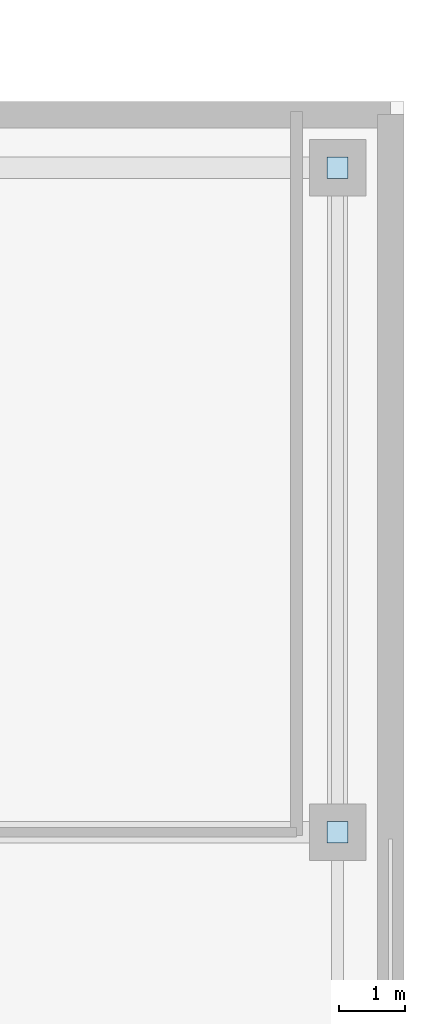
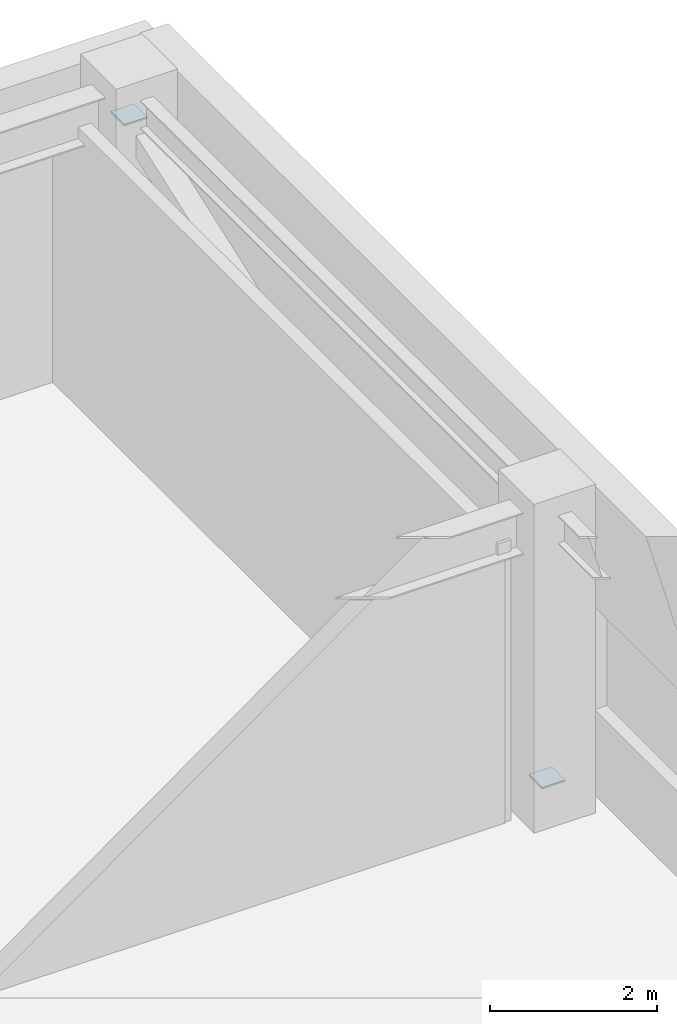
# One storey, part 26 of 40: 2 plates.
"""IFC4 building model written with IfcOpenShell, lengths in metres."""

from ifc_helpers import new_model, si_unit, direction, frame, origin, origin_2d, place, context, subcontext, project, spatial, rectangle, extrude, material, layer, layer_set, type_object, element, save


model = new_model("IFC4")

# Units and contexts
model_context = context("Model", 3, precision=1e-05, world=origin(), true_north=direction((0.0, 1.0)))
body_context = subcontext(model_context, "Body", "Model", "MODEL_VIEW")
ifc_project = project(units=[si_unit("LENGTHUNIT", "METRE"), si_unit("AREAUNIT", "SQUARE_METRE"), si_unit("VOLUMEUNIT", "CUBIC_METRE"), si_unit("PLANEANGLEUNIT", "RADIAN"), si_unit("MASSUNIT", "GRAM", prefix="KILO")], contexts=[model_context])

# Site, building, storey
site_placement = place(None, origin())
site = spatial("IfcSite", under=ifc_project, at=site_placement, CompositionType="ELEMENT")
building_placement = place(site_placement, origin())
building = spatial("IfcBuilding", under=site, at=building_placement, Name="Kazevale Care Tower and Concert Hall", CompositionType="ELEMENT")
storey_placement = place(building_placement, frame((0.0, 0.0, 4.800048828125)))
storey = spatial("IfcBuildingStorey", under=building, at=storey_placement, Name="L01", CompositionType="ELEMENT", Elevation=4.800048828125)

# Plates
ifc_material = material(Name="Steel ASTM A572 Gr 50", Category="steel")
ifc_layer = layer(ifc_material, 0.02490234375)
ifc_layer_set = layer_set([ifc_layer], Name="Steel ASTM A572 Gr 50")
plate_type = type_object("IfcPlateType", Name="Hollow Section End Cap Plate 25mm", PredefinedType="USERDEFINED", material=ifc_layer_set)
for number, where, z_axis, x_axis, name in (
    (1, (145.0, 47.0, 0.387451171875), (0.0, 0.0, 1.0), (1.0, 0.0, 0.0), "brace:L01:hwW:cap0"),
    (2, (145.0, 57.0, 4.007568359375), (0.0, 0.0, 1.0), (1.0, 0.0, 0.0), "brace:L01:hwW:cap1"),
):
    element("IfcPlate", number, at=place(storey_placement, frame(where, z_axis=z_axis, x_axis=x_axis)), inside=storey, type_object=plate_type, Name=name, ObjectType="END_CAP_PLATE", PredefinedType="USERDEFINED", context=body_context, shape_type="SweptSolid", body=[
        extrude(rectangle(XDim=0.320068359375, YDim=0.320068359375, at=origin_2d()), origin(), (0.0, 0.0, 1.0), 0.02490234375),
    ])

save(model, "model.ifc")
